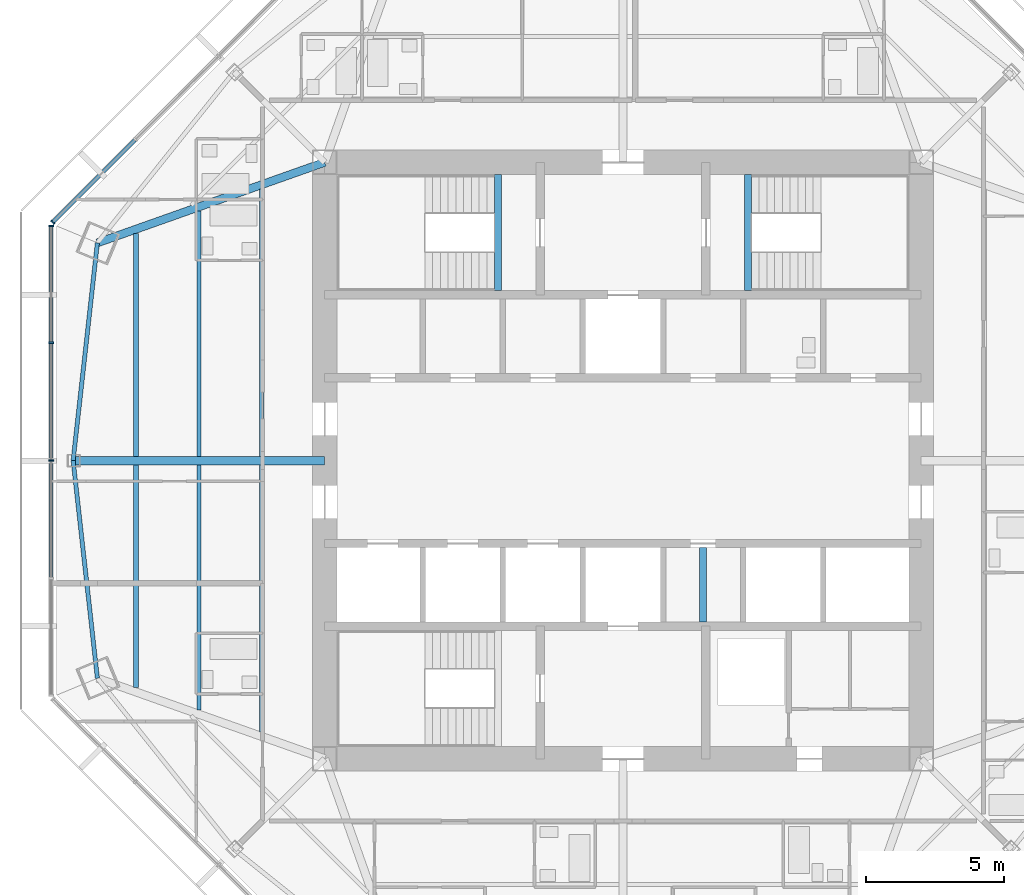
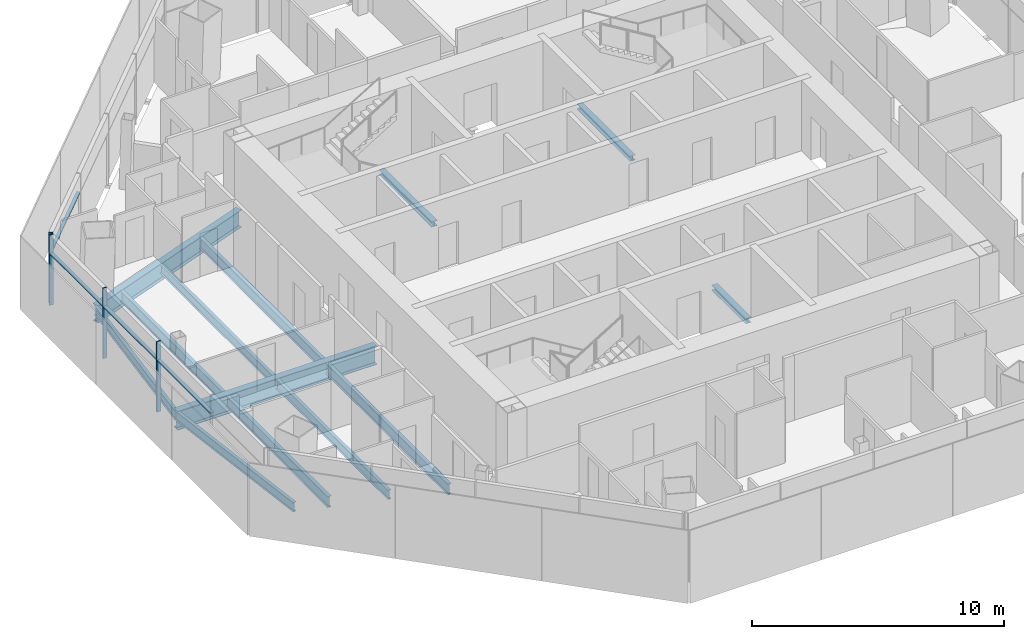
# One storey, part 3 of 15: 13 beams, 8 members, 2 elements without a shape of their own.
"""IFC4 building model written with IfcOpenShell, lengths in metres."""

from ifc_helpers import new_model, si_unit, direction, frame, origin, origin_2d, place, context, subcontext, project, spatial, rectangle, i_section, extrude, source, transform, mapped, material, material_profile, profile_set, type_object, type_shapes, element, aggregate, save


model = new_model("IFC4")

# Units and contexts
model_context = context("Model", 3, precision=1e-05, world=origin(), true_north=direction((0.0, 1.0)))
body_context = subcontext(model_context, "Body", "Model", "MODEL_VIEW")
ifc_project = project(units=[si_unit("LENGTHUNIT", "METRE"), si_unit("AREAUNIT", "SQUARE_METRE"), si_unit("VOLUMEUNIT", "CUBIC_METRE"), si_unit("PLANEANGLEUNIT", "RADIAN"), si_unit("MASSUNIT", "GRAM", prefix="KILO")], contexts=[model_context])

# Site, building, storey
site_placement = place(None, origin())
site = spatial("IfcSite", under=ifc_project, at=site_placement, CompositionType="ELEMENT")
building_placement = place(site_placement, origin())
building = spatial("IfcBuilding", under=site, at=building_placement, Name="Mashrafa Tower", CompositionType="ELEMENT")
storey_placement = place(building_placement, frame((0.0, 0.0, 258.39990234375)))
storey = spatial("IfcBuildingStorey", under=building, at=storey_placement, Name="L62", CompositionType="ELEMENT", Elevation=258.39990234375)

# Beams
ifc_material_1 = material(Name="Steel ASTM A992", Category="steel")
ifc_material_profile_1 = material_profile(ifc_material_1, i_section(OverallWidth=0.15234375, OverallDepth=0.449462890625, WebThickness=0.007568359375, FlangeThickness=0.0107421875, FilletRadius=0.01025390625, at=origin_2d()), Name="W18X35")
ifc_profile_set_1 = profile_set([ifc_material_profile_1], Name="Steel ASTM A992")
beam_type_1 = type_object("IfcBeamType", Name="Beam W18X35", PredefinedType="BEAM", material=ifc_profile_set_1)
for number, where, z_axis, x_axis, name in (
    (1, (-15.355224609375, -9.03125, -0.4248046875), (0.0, 1.0, 0.0), (-1.0, 0.0, 0.0), "Floor beam L62 004"),
    (2, (-15.355224609375, 0.15234375, -0.4248046875), (0.0, 1.0, 0.0), (-1.0, 0.0, 0.0), "Floor beam L62 005"),
):
    element("IfcBeam", number, at=place(storey_placement, frame(where, z_axis=z_axis, x_axis=x_axis)), inside=storey, type_object=beam_type_1, Name=name, PredefinedType="BEAM", context=body_context, shape_type="SweptSolid", body=[
        extrude(i_section(OverallWidth=0.15234375, OverallDepth=0.449462890625, WebThickness=0.007568359375, FlangeThickness=0.0107421875, FilletRadius=0.01025390625, at=origin_2d()), origin(), (0.0, 0.0, 1.0), 8.87890625),
    ])
for number, where, z_axis, x_axis, name in (
    (3, (-19.91064453125, 0.0, -0.4248046875), (0.110708523931, -0.993852918056, 0.0), (0.993852918056, 0.110708523931, 0.0), "Spandrel beam L62 049"),
    (4, (-19.032470703125, 7.883544921875, -0.4248046875), (-0.110708523931, -0.993852918056, 0.0), (0.993852918056, -0.110708523931, 0.0), "Spandrel beam L62 051"),
):
    element("IfcBeam", number, at=place(storey_placement, frame(where, z_axis=z_axis, x_axis=x_axis)), inside=storey, type_object=beam_type_1, Name=name, PredefinedType="BEAM", context=body_context, shape_type="SweptSolid", body=[
        extrude(i_section(OverallWidth=0.15234375, OverallDepth=0.449462890625, WebThickness=0.007568359375, FlangeThickness=0.0107421875, FilletRadius=0.01025390625, at=origin_2d()), origin(), (0.0, 0.0, 1.0), 7.932373046875),
    ])
ifc_material_2 = material(Name="Steel ASTM A992", Category="steel")
ifc_material_profile_2 = material_profile(ifc_material_2, i_section(OverallWidth=0.165771484375, OverallDepth=0.5283203125, WebThickness=0.009765625, FlangeThickness=0.013671875, FilletRadius=0.012939453125, at=origin_2d()), Name="W21X50")
ifc_profile_set_2 = profile_set([ifc_material_profile_2], Name="Steel ASTM A992")
beam_type_2 = type_object("IfcBeamType", Name="Beam W21X50", PredefinedType="BEAM", material=ifc_profile_set_2)
for number, where, z_axis, x_axis, name in (
    (5, (-17.633056640625, -8.224365234375, -0.464111328125), (0.0, 1.0, 0.0), (-1.0, 0.0, 0.0), "Floor beam L62 001"),
    (6, (-17.633056640625, 0.15234375, -0.464111328125), (0.0, 1.0, 0.0), (-1.0, 0.0, 0.0), "Floor beam L62 002"),
):
    element("IfcBeam", number, at=place(storey_placement, frame(where, z_axis=z_axis, x_axis=x_axis)), inside=storey, type_object=beam_type_2, Name=name, PredefinedType="BEAM", context=body_context, shape_type="SweptSolid", body=[
        extrude(i_section(OverallWidth=0.165771484375, OverallDepth=0.5283203125, WebThickness=0.009765625, FlangeThickness=0.013671875, FilletRadius=0.012939453125, at=origin_2d()), origin(), (0.0, 0.0, 1.0), 8.072021484375),
    ])
for number, where, z_axis, x_axis, name in (
    (7, (-13.07763671875, -9.838134765625, -0.464111328125), (0.0, 1.0, 0.0), (-1.0, 0.0, 0.0), "Floor beam L62 006"),
    (8, (-13.07763671875, 0.15234375, -0.464111328125), (0.0, 1.0, 0.0), (-1.0, 0.0, 0.0), "Floor beam L62 007"),
):
    element("IfcBeam", number, at=place(storey_placement, frame(where, z_axis=z_axis, x_axis=x_axis)), inside=storey, type_object=beam_type_2, Name=name, PredefinedType="BEAM", context=body_context, shape_type="SweptSolid", body=[
        extrude(i_section(OverallWidth=0.165771484375, OverallDepth=0.5283203125, WebThickness=0.009765625, FlangeThickness=0.013671875, FilletRadius=0.012939453125, at=origin_2d()), origin(), (0.0, 0.0, 1.0), 9.685791015625),
    ])
ifc_material_3 = material(Name="Steel ASTM A992", Category="steel")
ifc_material_profile_3 = material_profile(ifc_material_3, i_section(OverallWidth=0.2919921875, OverallDepth=0.8408203125, WebThickness=0.0146484375, FlangeThickness=0.021728515625, FilletRadius=0.017333984375, at=origin_2d()), Name="W33X130")
ifc_profile_set_3 = profile_set([ifc_material_profile_3], Name="Steel ASTM A992")
beam_type_3 = type_object("IfcBeamType", Name="Beam W33X130", PredefinedType="BEAM", material=ifc_profile_set_3)
beam_1_placement = place(storey_placement, frame((-10.800048828125, 10.800048828125, -0.620361328125), z_axis=(-0.942596432271, -0.333934074137, 0.0), x_axis=(0.333934074137, -0.942596432271, 0.0)))
element("IfcBeam", 9, at=beam_1_placement, inside=storey, type_object=beam_type_3, Name="Radial girder L62 037", PredefinedType="BEAM", context=body_context, shape_type="SweptSolid", body=[
    extrude(i_section(OverallWidth=0.2919921875, OverallDepth=0.8408203125, WebThickness=0.0146484375, FlangeThickness=0.021728515625, FilletRadius=0.017333984375, at=origin_2d()), origin(), (0.0, 0.0, 1.0), 8.73388671875),
])
ifc_material_4 = material(Name="Steel ASTM A992", Category="steel")
ifc_material_profile_4 = material_profile(ifc_material_4, i_section(OverallWidth=0.3046875, OverallDepth=0.911865234375, WebThickness=0.015869140625, FlangeThickness=0.02392578125, FilletRadius=0.01904296875, at=origin_2d()), Name="W36X150")
ifc_profile_set_4 = profile_set([ifc_material_profile_4], Name="Steel ASTM A992")
beam_type_4 = type_object("IfcBeamType", Name="Beam W36X150", PredefinedType="BEAM", material=ifc_profile_set_4)
beam_2_placement = place(storey_placement, frame((-10.800048828125, 0.0, -0.65576171875), z_axis=(-1.0, 0.0, 0.0), x_axis=(0.0, -1.0, 0.0)))
element("IfcBeam", 10, at=beam_2_placement, inside=storey, type_object=beam_type_4, Name="Radial girder L62 036", PredefinedType="BEAM", context=body_context, shape_type="SweptSolid", body=[
    extrude(i_section(OverallWidth=0.3046875, OverallDepth=0.911865234375, WebThickness=0.015869140625, FlangeThickness=0.02392578125, FilletRadius=0.01904296875, at=origin_2d()), origin(), (0.0, 0.0, 1.0), 9.110595703125),
])
ifc_material_5 = material(Name="Steel ASTM A992", Category="steel")
ifc_material_profile_5 = material_profile(ifc_material_5, i_section(OverallWidth=0.25390625, OverallDepth=0.25390625, WebThickness=0.008544921875, FlangeThickness=0.01416015625, FilletRadius=0.010009765625, at=origin_2d()), Name="W10X49")
ifc_profile_set_5 = profile_set([ifc_material_profile_5], Name="Steel ASTM A992")
beam_type_5 = type_object("IfcBeamType", Name="Hoistway beam W10X49", PredefinedType="BEAM", material=ifc_profile_set_5)
beam_3_placement = place(storey_placement, frame((2.89990234375, -5.85009765625, -0.326904296875), z_axis=(0.0, 1.0, 0.0), x_axis=(-1.0, 0.0, 0.0)))
element("IfcBeam", 11, at=beam_3_placement, inside=storey, type_object=beam_type_5, Name="Hoistway beam L62 07", PredefinedType="BEAM", context=body_context, shape_type="SweptSolid", body=[
    extrude(i_section(OverallWidth=0.25390625, OverallDepth=0.25390625, WebThickness=0.008544921875, FlangeThickness=0.01416015625, FilletRadius=0.010009765625, at=origin_2d()), origin(), (0.0, 0.0, 1.0), 2.7001953125),
])
for number, where, z_axis, x_axis, name in (
    (12, (-4.530029296875, 6.14990234375, -0.326904296875), (0.0, 1.0, 0.0), (-1.0, 0.0, 0.0), "Stair S1 landing beam L62"),
    (13, (4.530029296875, 6.14990234375, -0.326904296875), (0.0, 1.0, 0.0), (-1.0, 0.0, 0.0), "Stair S2 landing beam L62"),
):
    element("IfcBeam", number, at=place(storey_placement, frame(where, z_axis=z_axis, x_axis=x_axis)), inside=storey, type_object=beam_type_5, Name=name, PredefinedType="BEAM", context=body_context, shape_type="SweptSolid", body=[
        extrude(i_section(OverallWidth=0.25390625, OverallDepth=0.25390625, WebThickness=0.008544921875, FlangeThickness=0.01416015625, FilletRadius=0.010009765625, at=origin_2d()), origin(), (0.0, 0.0, 1.0), 4.2001953125),
    ])

# Curtain wall, member
ifc_material_6 = material(Name="Unitised aluminium curtain wall", Category="aluminium")
curtain_wall_type = type_object("IfcCurtainWallType", Name="Apartment curtain wall, zone 3 CW-C 180 deep", PredefinedType="NOTDEFINED", material=ifc_material_6)
curtain_wall_1_placement = place(storey_placement, origin())
curtain_wall_1 = element("IfcCurtainWall", 14, at=curtain_wall_1_placement, inside=storey, type_object=curtain_wall_type, Name="Apartment curtain wall, zone 3 L62 north-west", PredefinedType="NOTDEFINED")
ifc_material_7 = material(Name="Extruded aluminium mullion", Category="aluminium")
ifc_material_profile_6 = material_profile(ifc_material_7, rectangle(XDim=0.179931640625, YDim=0.06005859375, at=origin_2d()), Name="Mullion 60x180")
ifc_profile_set_6 = profile_set([ifc_material_profile_6], Name="Extruded aluminium mullion")
member_type_1 = type_object("IfcMemberType", Name="Mullion CW-C 60 x 180", PredefinedType="MULLION", material=ifc_profile_set_6)
shared_shape_1 = source(origin(), body_context, "Body", "SweptSolid", [
    extrude(rectangle(XDim=0.179931640625, YDim=0.06005859375, at=origin_2d()), origin(), (0.0, 0.0, 1.0), 3.400146484375),
])
type_shapes(member_type_1, [shared_shape_1])
member_1_placement = place(storey_placement, frame((-20.650390625, 8.630859375, 0.0), z_axis=(0.0, 0.0, 1.0), x_axis=(0.707106781187, -0.707106781187, 0.0)))
member_1 = element("IfcMember", 15, at=member_1_placement, type_object=member_type_1, Name="CW-C mullion 5", PredefinedType="MULLION", context=body_context, shape_type="MappedRepresentation", body=[
    mapped(shared_shape_1, transform((0.0, 0.0, 0.0))),
])

# Curtain wall, members
curtain_wall_2_placement = place(storey_placement, origin())
curtain_wall_2 = element("IfcCurtainWall", 16, at=curtain_wall_2_placement, inside=storey, type_object=curtain_wall_type, Name="Apartment curtain wall, zone 3 L62 west", PredefinedType="NOTDEFINED")
member_2_placement = place(storey_placement, frame((-20.704833984375, 8.4990234375, 0.0), z_axis=(0.0, 0.0, 1.0), x_axis=(1.0, 0.0, 0.0)))
member_2 = element("IfcMember", 17, at=member_2_placement, type_object=member_type_1, Name="CW-C mullion 1", PredefinedType="MULLION", context=body_context, shape_type="MappedRepresentation", body=[
    mapped(shared_shape_1, transform((0.0, 0.0, 0.0))),
])
member_3_placement = place(storey_placement, frame((-20.704833984375, 4.264404296875, 0.0), z_axis=(0.0, 0.0, 1.0), x_axis=(1.0, 0.0, 0.0)))
member_3 = element("IfcMember", 18, at=member_3_placement, type_object=member_type_1, Name="CW-C mullion 2", PredefinedType="MULLION", context=body_context, shape_type="MappedRepresentation", body=[
    mapped(shared_shape_1, transform((0.0, 0.0, 0.0))),
])
member_4_placement = place(storey_placement, frame((-20.704833984375, 0.0, 0.0), z_axis=(0.0, 0.0, 1.0), x_axis=(1.0, 0.0, 0.0)))
member_4 = element("IfcMember", 19, at=member_4_placement, type_object=member_type_1, Name="CW-C mullion 3", PredefinedType="MULLION", context=body_context, shape_type="MappedRepresentation", body=[
    mapped(shared_shape_1, transform((0.0, 0.0, 0.0))),
])

# Member
ifc_material_8 = material(Name="Extruded aluminium transom", Category="aluminium")
ifc_material_profile_7 = material_profile(ifc_material_8, rectangle(XDim=0.14404296875, YDim=0.074951171875, at=origin_2d()), Name="Transom 75x144")
ifc_profile_set_7 = profile_set([ifc_material_profile_7], Name="Extruded aluminium transom")
member_type_2 = type_object("IfcMemberType", Name="Transom CW-C 75 x 144", PredefinedType="MULLION", material=ifc_profile_set_7)
shared_shape_2 = source(origin(), body_context, "Body", "SweptSolid", [
    extrude(rectangle(XDim=0.14404296875, YDim=0.074951171875, at=origin_2d()), origin(), (0.0, 0.0, 1.0), 4.174560546875),
])
member_5_placement = place(storey_placement, frame((-17.67724609375, 11.60400390625, 2.5), z_axis=(-0.707106781187, -0.707106781187, 0.0), x_axis=(0.707106781187, -0.707106781187, 0.0)))
member_5 = element("IfcMember", 20, at=member_5_placement, type_object=member_type_2, Name="CW-C transom 4", PredefinedType="MULLION", context=body_context, shape_type="MappedRepresentation", body=[
    mapped(shared_shape_2, transform((0.0, 0.0, 0.0))),
])

aggregate(curtain_wall_1, [member_1, member_5])

member_6_placement = place(storey_placement, frame((-20.704833984375, 8.468994140625, 2.5), z_axis=(0.0, -1.0, 0.0), x_axis=(1.0, 0.0, 0.0)))
member_6 = element("IfcMember", 21, at=member_6_placement, type_object=member_type_2, Name="CW-C transom 1", PredefinedType="MULLION", context=body_context, shape_type="MappedRepresentation", body=[
    mapped(shared_shape_2, transform((0.0, 0.0, 0.0))),
])

shared_shape_3 = source(origin(), body_context, "Body", "SweptSolid", [
    extrude(rectangle(XDim=0.14404296875, YDim=0.074951171875, at=origin_2d()), origin(), (0.0, 0.0, 1.0), 4.204345703125),
])
type_shapes(member_type_2, [shared_shape_2, shared_shape_3])
member_7_placement = place(storey_placement, frame((-20.704833984375, 4.234375, 2.5), z_axis=(0.0, -1.0, 0.0), x_axis=(1.0, 0.0, 0.0)))
member_7 = element("IfcMember", 22, at=member_7_placement, type_object=member_type_2, Name="CW-C transom 2", PredefinedType="MULLION", context=body_context, shape_type="MappedRepresentation", body=[
    mapped(shared_shape_3, transform((0.0, 0.0, 0.0))),
])

member_8_placement = place(storey_placement, frame((-20.704833984375, -0.030029296875, 2.5), z_axis=(0.0, -1.0, 0.0), x_axis=(1.0, 0.0, 0.0)))
member_8 = element("IfcMember", 23, at=member_8_placement, type_object=member_type_2, Name="CW-C transom 3", PredefinedType="MULLION", context=body_context, shape_type="MappedRepresentation", body=[
    mapped(shared_shape_3, transform((0.0, 0.0, 0.0))),
])

aggregate(curtain_wall_2, [member_2, member_3, member_4, member_6, member_7, member_8])

save(model, "model.ifc")
